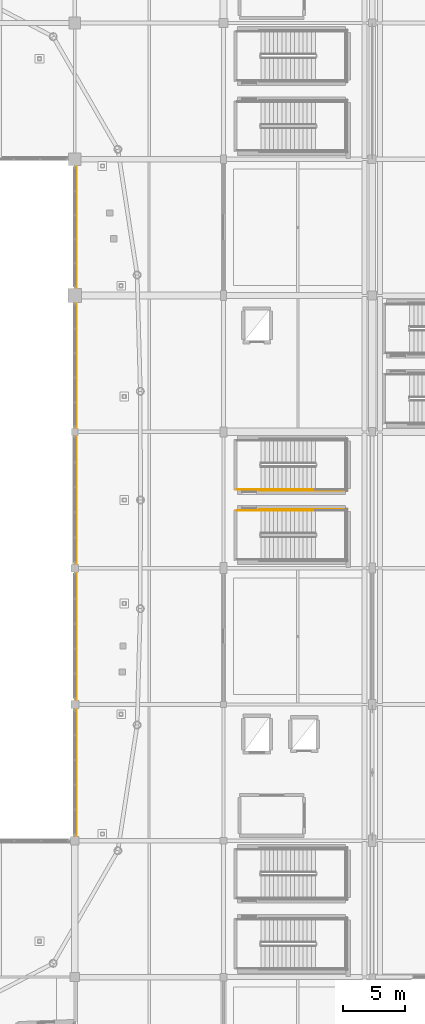
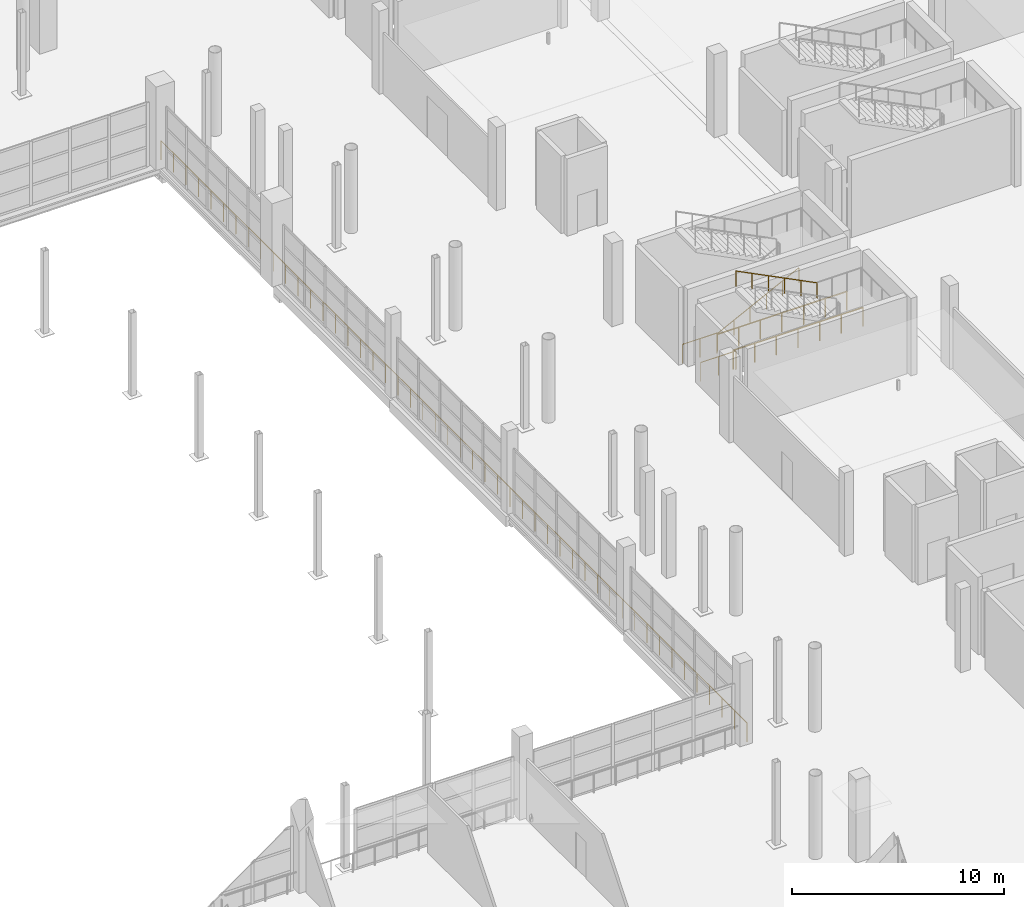
# One storey, part 134 of 143: 7 railings.
"""IFC4 building model written with IfcOpenShell, lengths in metres."""

import ifcopenshell
import ifcopenshell.guid

model = None  # the IFC model being written
_history = None  # IfcOwnerHistory: only IFC2X3 demands one
_inside = {}  # id of a spatial element -> (the spatial element, [elements in it])
_under = {}  # id of a project, library or spatial element -> (it, [spatial elements below it])
_declared = {}  # id of a project -> (the project, [libraries it declares])
_typed = {}  # id of a type object -> (the type object, [elements of that type])
_made_of = {}  # id of a material, layer set ... -> (it, [elements and type objects made of it])


def new_model(schema):
    """Start an empty IFC model of exactly this schema.

    Asked for "IFC4X3", IfcOpenShell would pick the latest addendum, in which some entities
    have other attributes; the version numbers below select the first issue.
    IFC2X3 requires an IfcOwnerHistory on every rooted entity: one is made here for all.
    """
    global model, _history
    if schema == "IFC4X3":
        model = ifcopenshell.file(schema_version=(4, 3, 0, 0))
    else:
        model = ifcopenshell.file(schema=schema)
    _inside.clear()
    _under.clear()
    _declared.clear()
    _typed.clear()
    _made_of.clear()
    _history = None
    if model.schema == "IFC2X3":
        org = make("IfcOrganization", Name="unknown")
        user = make(
            "IfcPersonAndOrganization",
            ThePerson=make("IfcPerson", FamilyName="unknown"),
            TheOrganization=org,
        )
        app = make(
            "IfcApplication",
            ApplicationDeveloper=org,
            Version="unknown",
            ApplicationFullName="unknown",
            ApplicationIdentifier="unknown",
        )
        _history = make(
            "IfcOwnerHistory",
            OwningUser=user,
            OwningApplication=app,
            ChangeAction="ADDED",
            CreationDate=0,
        )
    return model


def make(cls, **values):
    """One entity of the class cls with the attributes given. An attribute that is None is left unset."""
    return model.create_entity(
        cls, **{name: value for name, value in values.items() if value is not None}
    )


def rooted(cls, **values):
    """An entity with a GlobalId (a new one), such as an element, a storey or a relation."""
    return make(cls, GlobalId=ifcopenshell.guid.new(), OwnerHistory=_history, **values)


def si_unit(unit_type, name, prefix=None):
    """IfcSIUnit, for example si_unit("LENGTHUNIT", "METRE", prefix="MILLI")."""
    return make("IfcSIUnit", UnitType=unit_type, Prefix=prefix, Name=name)


def assignment(units):
    """IfcUnitAssignment: the units of a project."""
    return None if units is None else make("IfcUnitAssignment", Units=units)


def point(xyz):
    """IfcCartesianPoint."""
    return None if xyz is None else make("IfcCartesianPoint", Coordinates=xyz)


def direction(xyz):
    """IfcDirection."""
    return None if xyz is None else make("IfcDirection", DirectionRatios=xyz)


def frame(location, z_axis=None, x_axis=None):
    """IfcAxis2Placement3D, a coordinate frame: its origin and axes. An axis left out is left unset."""
    return make(
        "IfcAxis2Placement3D",
        Location=point(location),
        Axis=direction(z_axis),
        RefDirection=direction(x_axis),
    )


def frame_2d(location, x_axis=None):
    """IfcAxis2Placement2D, a coordinate frame in the plane: its origin and x axis."""
    return make(
        "IfcAxis2Placement2D", Location=point(location), RefDirection=direction(x_axis)
    )


def origin():
    """The frame at (0, 0, 0) with its axes left unset."""
    return frame((0.0, 0.0, 0.0))


def origin_2d():
    """The frame at (0, 0) in the plane with its x axis left unset."""
    return frame_2d((0.0, 0.0))


def place(relative_to, where):
    """IfcLocalPlacement: puts the frame where relative to a parent placement (None: the world)."""
    return make(
        "IfcLocalPlacement", PlacementRelTo=relative_to, RelativePlacement=where
    )


def context(
    kind, dimensions, precision=None, world=None, true_north=None, identifier=None
):
    """IfcGeometricRepresentationContext, for example the 3D "Model" context."""
    return make(
        "IfcGeometricRepresentationContext",
        ContextIdentifier=identifier,
        ContextType=kind,
        CoordinateSpaceDimension=dimensions,
        Precision=precision,
        WorldCoordinateSystem=world,
        TrueNorth=true_north,
    )


def subcontext(parent, identifier, kind, view, scale=None):
    """IfcGeometricRepresentationSubContext, for example "Body" below "Model"."""
    return make(
        "IfcGeometricRepresentationSubContext",
        ContextIdentifier=identifier,
        ContextType=kind,
        ParentContext=parent,
        TargetScale=scale,
        TargetView=view,
    )


def project(units=None, contexts=None):
    """IfcProject with its units and contexts."""
    return rooted(
        "IfcProject",
        Name="project",
        RepresentationContexts=contexts,
        UnitsInContext=assignment(units),
    )


def spatial(cls, under=None, at=None, **own):
    """A site, building, storey or space (cls), placed at a placement, below another one or the project."""
    s = rooted(cls, ObjectPlacement=at, **own)
    if under is not None:
        _under.setdefault(under.id(), (under, []))[1].append(s)
    return s


def profile(cls, at=None, kind="AREA", **sizes):
    """A parametric profile (cls). Its sizes go by their IFC names, for example OverallWidth=200.0."""
    return make(cls, ProfileType=kind, Position=at, **sizes)


def circle(**sizes):
    """IfcCircleProfileDef."""
    return profile("IfcCircleProfileDef", **sizes)


def extrude(swept, where, along, depth):
    """IfcExtrudedAreaSolid: the profile swept, set in the frame where, extruded along a direction by depth."""
    return make(
        "IfcExtrudedAreaSolid",
        SweptArea=swept,
        Position=where,
        ExtrudedDirection=direction(along),
        Depth=depth,
    )


def shape(context_of_items, identifier, shape_type, items):
    """IfcShapeRepresentation: the items that make up one representation, for example the "Body"."""
    return make(
        "IfcShapeRepresentation",
        ContextOfItems=context_of_items,
        RepresentationIdentifier=identifier,
        RepresentationType=shape_type,
        Items=items,
    )


def material(Name=None, Category=None):
    """IfcMaterial."""
    return make("IfcMaterial", Name=Name, Category=Category)


def made_of(thing, what):
    """Note that an element or type object is made of a material, layer set ...; save() writes the relation."""
    if what is not None:
        _made_of.setdefault(what.id(), (what, []))[1].append(thing)
    return thing


def type_object(cls, material=None, **own):
    """A type object (cls), such as IfcWallType, which elements share."""
    return made_of(rooted(cls, **own), material)


def element(
    cls,
    number,
    at=None,
    inside=None,
    cuts=None,
    type_object=None,
    material=None,
    context=None,
    identifier="Body",
    shape_type=None,
    held_by="IfcProductDefinitionShape",
    body=None,
    shapes=None,
    **own,
):
    """One element of the class cls, such as IfcWall. Its Tag is "e" and its number.

    at: its placement. inside: the storey or other place that contains it. cuts: it is an
    opening in that element (IfcRelVoidsElement). A single representation is given by context,
    identifier, shape_type and body (its items); several are given by shapes. held_by: the class
    of the entity that holds the representations. save() writes the other relations.
    """
    e = rooted(cls, Tag="e%d" % number, ObjectPlacement=at, **own)
    if body is not None:
        shapes = [shape(context, identifier, shape_type, body)]
    if shapes is not None:
        e.Representation = make(held_by, Representations=shapes)
    if inside is not None:
        _inside.setdefault(inside.id(), (inside, []))[1].append(e)
    if cuts is not None:
        rooted(
            "IfcRelVoidsElement", RelatingBuildingElement=cuts, RelatedOpeningElement=e
        )
    if type_object is not None:
        _typed.setdefault(type_object.id(), (type_object, []))[1].append(e)
    return made_of(e, material)


def aggregate(whole, parts):
    """IfcRelAggregates: a whole, such as a stair, and the parts it consists of."""
    return rooted("IfcRelAggregates", RelatingObject=whole, RelatedObjects=parts)


def save(model, path):
    """Write the relations noted so far, then the file.

    IfcRelAggregates (storeys below a building ...), IfcRelContainedInSpatialStructure (elements
    in a storey), IfcRelDefinesByType, IfcRelAssociatesMaterial and IfcRelDeclares: one each for
    every whole, place, type object, material and project.
    """
    for whole, parts in _under.values():
        aggregate(whole, parts)
    for where, things in _inside.values():
        rooted(
            "IfcRelContainedInSpatialStructure",
            RelatedElements=things,
            RelatingStructure=where,
        )
    for kind, things in _typed.values():
        rooted("IfcRelDefinesByType", RelatedObjects=things, RelatingType=kind)
    for what, things in _made_of.values():
        rooted("IfcRelAssociatesMaterial", RelatedObjects=things, RelatingMaterial=what)
    for by, libraries in _declared.values():
        rooted("IfcRelDeclares", RelatingContext=by, RelatedDefinitions=libraries)
    model.write(path)


model = new_model("IFC4")

# Units and contexts
model_context = context("Model", 3, precision=1e-05, world=origin(), true_north=direction((0.0, 1.0)))
body_context = subcontext(model_context, "Body", "Model", "MODEL_VIEW")
ifc_project = project(units=[si_unit("LENGTHUNIT", "METRE"), si_unit("AREAUNIT", "SQUARE_METRE"), si_unit("VOLUMEUNIT", "CUBIC_METRE"), si_unit("PLANEANGLEUNIT", "RADIAN"), si_unit("MASSUNIT", "GRAM", prefix="KILO")], contexts=[model_context])

# Site, building, storey
site_placement = place(None, origin())
site = spatial("IfcSite", under=ifc_project, at=site_placement, CompositionType="ELEMENT")
building_placement = place(site_placement, origin())
building = spatial("IfcBuilding", under=site, at=building_placement, Name="Luwafu Chhajja Arena", CompositionType="ELEMENT")
storey_placement = place(building_placement, frame((0.0, 0.0, 5.39990234375)))
storey = spatial("IfcBuildingStorey", under=building, at=storey_placement, Name="L01", CompositionType="ELEMENT", Elevation=5.39990234375)

# Railings
ifc_material_1 = material(Name="Stainless steel balustrade", Category="steel")
railing_type_1 = type_object("IfcRailingType", Name="Seating Bowl Sightline Barrier 1100", PredefinedType="BALUSTRADE", material=ifc_material_1)
railing_1_placement = place(storey_placement, frame((140.14990234375, 21.85009765625, 0.0)))
element("IfcRailing", 1, at=railing_1_placement, inside=storey, type_object=railing_type_1, Name="L01 Bowl Rim Guard 0029", PredefinedType="BALUSTRADE", context=body_context, shape_type="SweptSolid", body=[
    extrude(circle(Radius=0.02392578125, at=origin_2d()), frame((0.0, 0.0, 1.09619140625), z_axis=(0.0, 1.0, 0.0), x_axis=(-1.0, 0.0, 0.0)), (0.0, 0.0, 1.0), 55.2998046875),
    extrude(circle(Radius=0.02099609375, at=origin_2d()), origin(), (0.0, 0.0, 1.0), 1.072021484375),
    extrude(circle(Radius=0.02099609375, at=origin_2d()), frame((0.0, 1.176513671875, 0.0)), (0.0, 0.0, 1.0), 1.072021484375),
    extrude(circle(Radius=0.02099609375, at=origin_2d()), frame((0.0, 2.353271484375, 0.0)), (0.0, 0.0, 1.0), 1.072021484375),
    extrude(circle(Radius=0.02099609375, at=origin_2d()), frame((0.0, 3.52978515625, 0.0)), (0.0, 0.0, 1.0), 1.072021484375),
    extrude(circle(Radius=0.02099609375, at=origin_2d()), frame((0.0, 4.706298828125, 0.0)), (0.0, 0.0, 1.0), 1.072021484375),
    extrude(circle(Radius=0.02099609375, at=origin_2d()), frame((0.0, 5.883056640625, 0.0)), (0.0, 0.0, 1.0), 1.072021484375),
    extrude(circle(Radius=0.02099609375, at=origin_2d()), frame((0.0, 7.0595703125, 0.0)), (0.0, 0.0, 1.0), 1.072021484375),
    extrude(circle(Radius=0.02099609375, at=origin_2d()), frame((0.0, 8.236083984375, 0.0)), (0.0, 0.0, 1.0), 1.072021484375),
    extrude(circle(Radius=0.02099609375, at=origin_2d()), frame((0.0, 9.412841796875, 0.0)), (0.0, 0.0, 1.0), 1.072021484375),
    extrude(circle(Radius=0.02099609375, at=origin_2d()), frame((0.0, 10.58935546875, 0.0)), (0.0, 0.0, 1.0), 1.072021484375),
    extrude(circle(Radius=0.02099609375, at=origin_2d()), frame((0.0, 11.765869140625, 0.0)), (0.0, 0.0, 1.0), 1.072021484375),
    extrude(circle(Radius=0.02099609375, at=origin_2d()), frame((0.0, 12.942626953125, 0.0)), (0.0, 0.0, 1.0), 1.072021484375),
    extrude(circle(Radius=0.02099609375, at=origin_2d()), frame((0.0, 14.119140625, 0.0)), (0.0, 0.0, 1.0), 1.072021484375),
    extrude(circle(Radius=0.02099609375, at=origin_2d()), frame((0.0, 15.295654296875, 0.0)), (0.0, 0.0, 1.0), 1.072021484375),
    extrude(circle(Radius=0.02099609375, at=origin_2d()), frame((0.0, 16.47216796875, 0.0)), (0.0, 0.0, 1.0), 1.072021484375),
    extrude(circle(Radius=0.02099609375, at=origin_2d()), frame((0.0, 17.64892578125, 0.0)), (0.0, 0.0, 1.0), 1.072021484375),
    extrude(circle(Radius=0.02099609375, at=origin_2d()), frame((0.0, 18.825439453125, 0.0)), (0.0, 0.0, 1.0), 1.072021484375),
    extrude(circle(Radius=0.02099609375, at=origin_2d()), frame((0.0, 20.001953125, 0.0)), (0.0, 0.0, 1.0), 1.072021484375),
    extrude(circle(Radius=0.02099609375, at=origin_2d()), frame((0.0, 21.1787109375, 0.0)), (0.0, 0.0, 1.0), 1.072021484375),
    extrude(circle(Radius=0.02099609375, at=origin_2d()), frame((0.0, 22.355224609375, 0.0)), (0.0, 0.0, 1.0), 1.072021484375),
    extrude(circle(Radius=0.02099609375, at=origin_2d()), frame((0.0, 23.53173828125, 0.0)), (0.0, 0.0, 1.0), 1.072021484375),
    extrude(circle(Radius=0.02099609375, at=origin_2d()), frame((0.0, 24.70849609375, 0.0)), (0.0, 0.0, 1.0), 1.072021484375),
    extrude(circle(Radius=0.02099609375, at=origin_2d()), frame((0.0, 25.885009765625, 0.0)), (0.0, 0.0, 1.0), 1.072021484375),
    extrude(circle(Radius=0.02099609375, at=origin_2d()), frame((0.0, 27.0615234375, 0.0)), (0.0, 0.0, 1.0), 1.072021484375),
    extrude(circle(Radius=0.02099609375, at=origin_2d()), frame((0.0, 28.23828125, 0.0)), (0.0, 0.0, 1.0), 1.072021484375),
    extrude(circle(Radius=0.02099609375, at=origin_2d()), frame((0.0, 29.414794921875, 0.0)), (0.0, 0.0, 1.0), 1.072021484375),
    extrude(circle(Radius=0.02099609375, at=origin_2d()), frame((0.0, 30.59130859375, 0.0)), (0.0, 0.0, 1.0), 1.072021484375),
    extrude(circle(Radius=0.02099609375, at=origin_2d()), frame((0.0, 31.76806640625, 0.0)), (0.0, 0.0, 1.0), 1.072021484375),
    extrude(circle(Radius=0.02099609375, at=origin_2d()), frame((0.0, 32.944580078125, 0.0)), (0.0, 0.0, 1.0), 1.072021484375),
    extrude(circle(Radius=0.02099609375, at=origin_2d()), frame((0.0, 34.12109375, 0.0)), (0.0, 0.0, 1.0), 1.072021484375),
    extrude(circle(Radius=0.02099609375, at=origin_2d()), frame((0.0, 35.2978515625, 0.0)), (0.0, 0.0, 1.0), 1.072021484375),
    extrude(circle(Radius=0.02099609375, at=origin_2d()), frame((0.0, 36.474365234375, 0.0)), (0.0, 0.0, 1.0), 1.072021484375),
    extrude(circle(Radius=0.02099609375, at=origin_2d()), frame((0.0, 37.65087890625, 0.0)), (0.0, 0.0, 1.0), 1.072021484375),
    extrude(circle(Radius=0.02099609375, at=origin_2d()), frame((0.0, 38.82763671875, 0.0)), (0.0, 0.0, 1.0), 1.072021484375),
    extrude(circle(Radius=0.02099609375, at=origin_2d()), frame((0.0, 40.004150390625, 0.0)), (0.0, 0.0, 1.0), 1.072021484375),
    extrude(circle(Radius=0.02099609375, at=origin_2d()), frame((0.0, 41.1806640625, 0.0)), (0.0, 0.0, 1.0), 1.072021484375),
    extrude(circle(Radius=0.02099609375, at=origin_2d()), frame((0.0, 42.357177734375, 0.0)), (0.0, 0.0, 1.0), 1.072021484375),
    extrude(circle(Radius=0.02099609375, at=origin_2d()), frame((0.0, 43.533935546875, 0.0)), (0.0, 0.0, 1.0), 1.072021484375),
    extrude(circle(Radius=0.02099609375, at=origin_2d()), frame((0.0, 44.71044921875, 0.0)), (0.0, 0.0, 1.0), 1.072021484375),
    extrude(circle(Radius=0.02099609375, at=origin_2d()), frame((0.0, 45.886962890625, 0.0)), (0.0, 0.0, 1.0), 1.072021484375),
    extrude(circle(Radius=0.02099609375, at=origin_2d()), frame((0.0, 47.063720703125, 0.0)), (0.0, 0.0, 1.0), 1.072021484375),
    extrude(circle(Radius=0.02099609375, at=origin_2d()), frame((0.0, 48.240234375, 0.0)), (0.0, 0.0, 1.0), 1.072021484375),
    extrude(circle(Radius=0.02099609375, at=origin_2d()), frame((0.0, 49.416748046875, 0.0)), (0.0, 0.0, 1.0), 1.072021484375),
    extrude(circle(Radius=0.02099609375, at=origin_2d()), frame((0.0, 50.593505859375, 0.0)), (0.0, 0.0, 1.0), 1.072021484375),
    extrude(circle(Radius=0.02099609375, at=origin_2d()), frame((0.0, 51.77001953125, 0.0)), (0.0, 0.0, 1.0), 1.072021484375),
    extrude(circle(Radius=0.02099609375, at=origin_2d()), frame((0.0, 52.946533203125, 0.0)), (0.0, 0.0, 1.0), 1.072021484375),
    extrude(circle(Radius=0.02099609375, at=origin_2d()), frame((0.0, 54.123291015625, 0.0)), (0.0, 0.0, 1.0), 1.072021484375),
    extrude(circle(Radius=0.02099609375, at=origin_2d()), frame((0.0, 55.2998046875, 0.0)), (0.0, 0.0, 1.0), 1.072021484375),
])
ifc_material_2 = material(Name="Stainless steel handrail", Category="steel")
railing_type_2 = type_object("IfcRailingType", Name="Stair Pitch Wall Handrail 920", PredefinedType="HANDRAIL", material=ifc_material_2)
railing_2_placement = place(storey_placement, frame((159.43994140625, 48.639892578125, 2.571533203125)))
element("IfcRailing", 2, at=railing_2_placement, inside=storey, type_object=railing_type_2, Name="L01 ST-11 stair handrail 2", PredefinedType="HANDRAIL", context=body_context, shape_type="SweptSolid", body=[
    extrude(circle(Radius=0.02392578125, at=origin_2d()), frame((0.0, 0.0, 0.8759765625), z_axis=(-0.89292277971, 0.0, 0.450209850486), x_axis=(0.0, -1.0, 0.0)), (0.0, 0.0, 1.0), 4.949951171875),
    extrude(circle(Radius=0.02099609375, at=origin_2d()), origin(), (0.0, 0.0, 1.0), 0.851806640625),
    extrude(circle(Radius=0.02099609375, at=origin_2d()), frame((-0.884033203125, 0.0, 0.44580078125)), (0.0, 0.0, 1.0), 0.851806640625),
    extrude(circle(Radius=0.02099609375, at=origin_2d()), frame((-1.76806640625, 0.0, 0.891357421875)), (0.0, 0.0, 1.0), 0.851806640625),
    extrude(circle(Radius=0.02099609375, at=origin_2d()), frame((-2.65185546875, 0.0, 1.337158203125)), (0.0, 0.0, 1.0), 0.851806640625),
    extrude(circle(Radius=0.02099609375, at=origin_2d()), frame((-3.535888671875, 0.0, 1.78271484375)), (0.0, 0.0, 1.0), 0.851806640625),
    extrude(circle(Radius=0.02099609375, at=origin_2d()), frame((-4.419921875, 0.0, 2.228515625)), (0.0, 0.0, 1.0), 0.851806640625),
])
railing_3_placement = place(storey_placement, frame((155.02001953125, 50.360107421875, 0.171630859375)))
element("IfcRailing", 3, at=railing_3_placement, inside=storey, type_object=railing_type_2, Name="L01 ST-12 stair handrail 1", PredefinedType="HANDRAIL", context=body_context, shape_type="SweptSolid", body=[
    extrude(circle(Radius=0.02392578125, at=origin_2d()), frame((0.0, 0.0, 0.8759765625), z_axis=(0.89292277971, 0.0, 0.450209850486), x_axis=(0.0, 1.0, 0.0)), (0.0, 0.0, 1.0), 4.949951171875),
    extrude(circle(Radius=0.02099609375, at=origin_2d()), origin(), (0.0, 0.0, 1.0), 0.851806640625),
    extrude(circle(Radius=0.02099609375, at=origin_2d()), frame((0.884033203125, 0.0, 0.44580078125)), (0.0, 0.0, 1.0), 0.851806640625),
    extrude(circle(Radius=0.02099609375, at=origin_2d()), frame((1.76806640625, 0.0, 0.891357421875)), (0.0, 0.0, 1.0), 0.851806640625),
    extrude(circle(Radius=0.02099609375, at=origin_2d()), frame((2.65185546875, 0.0, 1.337158203125)), (0.0, 0.0, 1.0), 0.851806640625),
    extrude(circle(Radius=0.02099609375, at=origin_2d()), frame((3.535888671875, 0.0, 1.78271484375)), (0.0, 0.0, 1.0), 0.851806640625),
    extrude(circle(Radius=0.02099609375, at=origin_2d()), frame((4.419921875, 0.0, 2.228515625)), (0.0, 0.0, 1.0), 0.851806640625),
])
railing_type_3 = type_object("IfcRailingType", Name="Stair and Terrace Guard Balustrade 1100", PredefinedType="BALUSTRADE", material=ifc_material_1)
railing_4_placement = place(storey_placement, frame((153.10009765625, 48.639892578125, 0.0)))
element("IfcRailing", 4, at=railing_4_placement, inside=storey, type_object=railing_type_3, Name="L01 ST-11 stair guard 9", PredefinedType="BALUSTRADE", context=body_context, shape_type="SweptSolid", body=[
    extrude(circle(Radius=0.02392578125, at=origin_2d()), frame((0.0, 0.0, 1.076171875), z_axis=(1.0, 0.0, 0.0), x_axis=(0.0, 1.0, 0.0)), (0.0, 0.0, 1.0), 1.919921875),
    extrude(circle(Radius=0.02099609375, at=origin_2d()), origin(), (0.0, 0.0, 1.0), 1.052001953125),
    extrude(circle(Radius=0.02099609375, at=origin_2d()), frame((0.9599609375, 0.0, 0.0)), (0.0, 0.0, 1.0), 1.052001953125),
    extrude(circle(Radius=0.02099609375, at=origin_2d()), frame((1.919921875, 0.0, 0.0)), (0.0, 0.0, 1.0), 1.052001953125),
])
railing_5_placement = place(storey_placement, frame((154.919921875, 48.739990234375, 0.0)))
element("IfcRailing", 5, at=railing_5_placement, inside=storey, type_object=railing_type_3, Name="L01 ST-11 stair guard 11", PredefinedType="BALUSTRADE", context=body_context, shape_type="SweptSolid", body=[
    extrude(circle(Radius=0.02392578125, at=origin_2d()), frame((0.0, 0.0, 1.076171875), z_axis=(1.0, 0.0, 0.0), x_axis=(0.0, 1.0, 0.0)), (0.0, 0.0, 1.0), 7.080078125),
    extrude(circle(Radius=0.02099609375, at=origin_2d()), origin(), (0.0, 0.0, 1.0), 1.052001953125),
    extrude(circle(Radius=0.02099609375, at=origin_2d()), frame((1.179931640625, 0.0, 0.0)), (0.0, 0.0, 1.0), 1.052001953125),
    extrude(circle(Radius=0.02099609375, at=origin_2d()), frame((2.360107421875, 0.0, 0.0)), (0.0, 0.0, 1.0), 1.052001953125),
    extrude(circle(Radius=0.02099609375, at=origin_2d()), frame((3.5400390625, 0.0, 0.0)), (0.0, 0.0, 1.0), 1.052001953125),
    extrude(circle(Radius=0.02099609375, at=origin_2d()), frame((4.719970703125, 0.0, 0.0)), (0.0, 0.0, 1.0), 1.052001953125),
    extrude(circle(Radius=0.02099609375, at=origin_2d()), frame((5.900146484375, 0.0, 0.0)), (0.0, 0.0, 1.0), 1.052001953125),
    extrude(circle(Radius=0.02099609375, at=origin_2d()), frame((7.080078125, 0.0, 0.0)), (0.0, 0.0, 1.0), 1.052001953125),
])
railing_6_placement = place(storey_placement, frame((153.10009765625, 50.360107421875, 0.0)))
element("IfcRailing", 6, at=railing_6_placement, inside=storey, type_object=railing_type_3, Name="L01 ST-12 stair guard 8", PredefinedType="BALUSTRADE", context=body_context, shape_type="SweptSolid", body=[
    extrude(circle(Radius=0.02392578125, at=origin_2d()), frame((0.0, 0.0, 1.076171875), z_axis=(1.0, 0.0, 0.0), x_axis=(0.0, 1.0, 0.0)), (0.0, 0.0, 1.0), 1.919921875),
    extrude(circle(Radius=0.02099609375, at=origin_2d()), origin(), (0.0, 0.0, 1.0), 1.052001953125),
    extrude(circle(Radius=0.02099609375, at=origin_2d()), frame((0.9599609375, 0.0, 0.0)), (0.0, 0.0, 1.0), 1.052001953125),
    extrude(circle(Radius=0.02099609375, at=origin_2d()), frame((1.919921875, 0.0, 0.0)), (0.0, 0.0, 1.0), 1.052001953125),
])
railing_7_placement = place(storey_placement, frame((154.919921875, 50.260009765625, 0.0)))
element("IfcRailing", 7, at=railing_7_placement, inside=storey, type_object=railing_type_3, Name="L01 ST-12 stair guard 10", PredefinedType="BALUSTRADE", context=body_context, shape_type="SweptSolid", body=[
    extrude(circle(Radius=0.02392578125, at=origin_2d()), frame((0.0, 0.0, 1.076171875), z_axis=(1.0, 0.0, 0.0), x_axis=(0.0, 1.0, 0.0)), (0.0, 0.0, 1.0), 7.080078125),
    extrude(circle(Radius=0.02099609375, at=origin_2d()), origin(), (0.0, 0.0, 1.0), 1.052001953125),
    extrude(circle(Radius=0.02099609375, at=origin_2d()), frame((1.179931640625, 0.0, 0.0)), (0.0, 0.0, 1.0), 1.052001953125),
    extrude(circle(Radius=0.02099609375, at=origin_2d()), frame((2.360107421875, 0.0, 0.0)), (0.0, 0.0, 1.0), 1.052001953125),
    extrude(circle(Radius=0.02099609375, at=origin_2d()), frame((3.5400390625, 0.0, 0.0)), (0.0, 0.0, 1.0), 1.052001953125),
    extrude(circle(Radius=0.02099609375, at=origin_2d()), frame((4.719970703125, 0.0, 0.0)), (0.0, 0.0, 1.0), 1.052001953125),
    extrude(circle(Radius=0.02099609375, at=origin_2d()), frame((5.900146484375, 0.0, 0.0)), (0.0, 0.0, 1.0), 1.052001953125),
    extrude(circle(Radius=0.02099609375, at=origin_2d()), frame((7.080078125, 0.0, 0.0)), (0.0, 0.0, 1.0), 1.052001953125),
])

save(model, "model.ifc")
